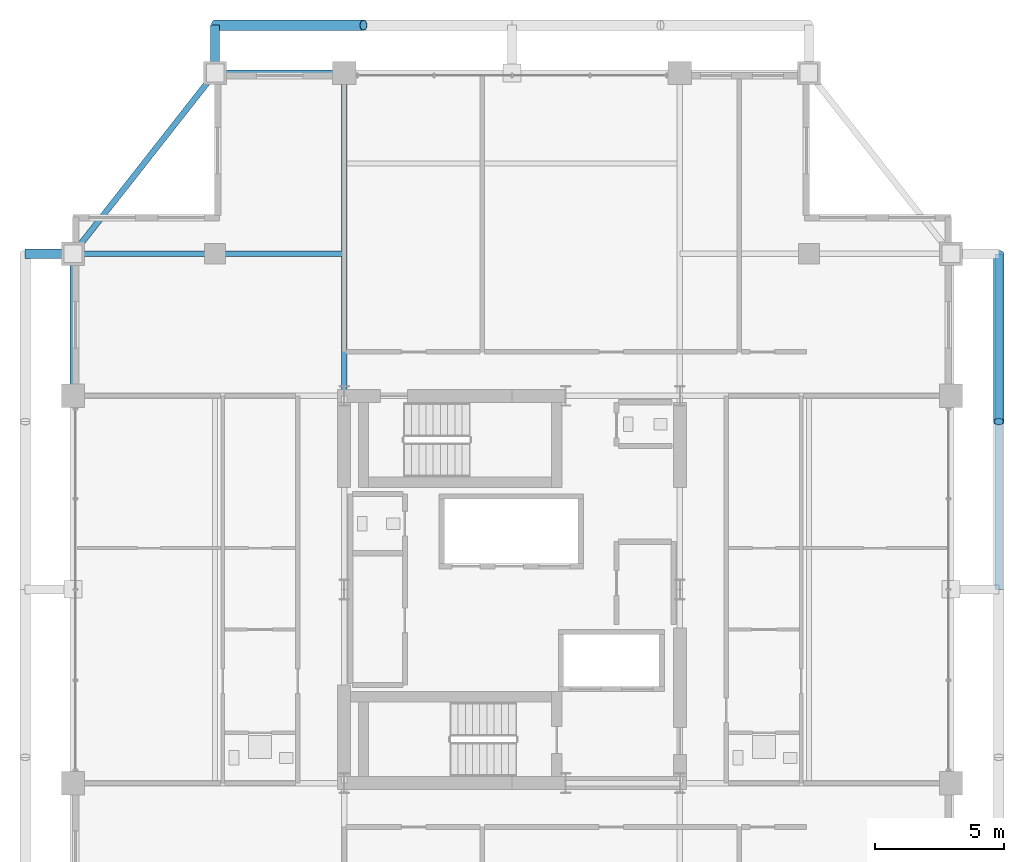
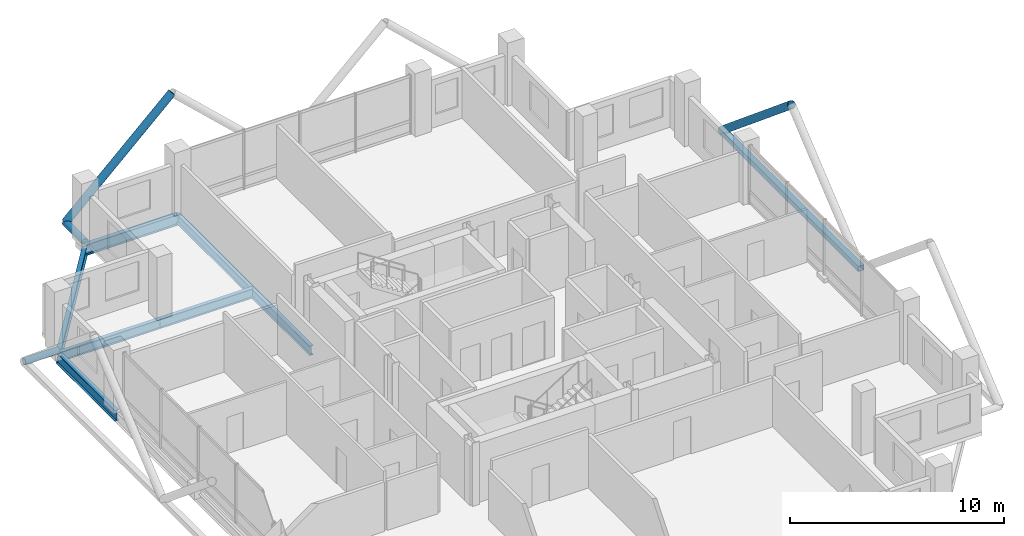
# One storey, part 14 of 24: 6 beams, 5 members.
"""IFC4 building model written with IfcOpenShell, lengths in metres."""

from ifc_helpers import new_model, si_unit, direction, frame, origin, origin_2d, place, context, subcontext, project, spatial, hollow_rectangle, hollow_circle, i_section, extrude, material, material_profile, profile_set, type_object, element, save


model = new_model("IFC4")

# Units and contexts
model_context = context("Model", 3, precision=1e-05, world=origin(), true_north=direction((0.0, 1.0)))
body_context = subcontext(model_context, "Body", "Model", "MODEL_VIEW")
ifc_project = project(units=[si_unit("LENGTHUNIT", "METRE"), si_unit("AREAUNIT", "SQUARE_METRE"), si_unit("VOLUMEUNIT", "CUBIC_METRE"), si_unit("PLANEANGLEUNIT", "RADIAN"), si_unit("MASSUNIT", "GRAM", prefix="KILO")], contexts=[model_context])

# Site, building, storey
site_placement = place(None, origin())
site = spatial("IfcSite", under=ifc_project, at=site_placement, CompositionType="ELEMENT")
building_placement = place(site_placement, origin())
building = spatial("IfcBuilding", under=site, at=building_placement, Name="Barlavira Tower and Art Museum", CompositionType="ELEMENT")
storey_placement = place(building_placement, frame((0.0, 0.0, 294.300048828125)))
storey = spatial("IfcBuildingStorey", under=building, at=storey_placement, Name="L77", CompositionType="ELEMENT", Elevation=294.300048828125)

# Members
ifc_material = material(Name="Steel S355", Category="steel")
ifc_material_profile_1 = material_profile(ifc_material, hollow_circle(Radius=0.203125, WallThickness=0.01611328125, at=origin_2d()), Name="CHS 406.4x16.0")
ifc_profile_set_1 = profile_set([ifc_material_profile_1], Name="Steel S355")
member_type_1 = type_object("IfcMemberType", Name="Pale-Metal Exoskeleton Diagrid Tube CHS 406x16 Steel S355", PredefinedType="BRACE", material=ifc_profile_set_1)
member_1_placement = place(storey_placement, frame((-11.5, 21.85009765625, -0.1201171875), z_axis=(0.728934650808, 0.0, 0.684583285548), x_axis=(0.0, 1.0, 0.0)))
element("IfcMember", 1, at=member_1_placement, inside=storey, type_object=member_type_1, Name="L77 Exoskeleton Diagrid Tube N", PredefinedType="BRACE", context=body_context, shape_type="SweptSolid", body=[
    extrude(hollow_circle(Radius=0.203125, WallThickness=0.01611328125, at=origin_2d()), origin(), (0.0, 0.0, 1.0), 7.88818359375),
])
member_2_placement = place(storey_placement, frame((18.85009765625, 13.0, -0.1201171875), z_axis=(0.0, -0.76918185268, 0.639029950399), x_axis=(1.0, 0.0, 0.0)))
element("IfcMember", 2, at=member_2_placement, inside=storey, type_object=member_type_1, Name="L77 Exoskeleton Diagrid Tube E", PredefinedType="BRACE", context=body_context, shape_type="SweptSolid", body=[
    extrude(hollow_circle(Radius=0.203125, WallThickness=0.01611328125, at=origin_2d()), origin(), (0.0, 0.0, 1.0), 8.450439453125),
])
ifc_material_profile_2 = material_profile(ifc_material, hollow_circle(Radius=0.177734375, WallThickness=0.01611328125, at=origin_2d()), Name="CHS 355.6x16.0")
ifc_profile_set_2 = profile_set([ifc_material_profile_2], Name="Steel S355")
member_type_2 = type_object("IfcMemberType", Name="Pale-Metal Exoskeleton Tie Strut CHS 356x16 Steel S355", PredefinedType="STRUT", material=ifc_profile_set_2)
for number, where, z_axis, x_axis, name in (
    (3, (-11.5, 21.85009765625, -0.1201171875), (0.0, -1.0, 0.0), (1.0, 0.0, 0.0), "L77 Exoskeleton Tie Strut N1"),
    (4, (-18.85009765625, 13.0, -0.1201171875), (1.0, 0.0, 0.0), (0.0, 1.0, 0.0), "L77 Exoskeleton Tie Strut W3"),
):
    element("IfcMember", number, at=place(storey_placement, frame(where, z_axis=z_axis, x_axis=x_axis)), inside=storey, type_object=member_type_2, Name=name, PredefinedType="STRUT", context=body_context, shape_type="SweptSolid", body=[
        extrude(hollow_circle(Radius=0.177734375, WallThickness=0.01611328125, at=origin_2d()), origin(), (0.0, 0.0, 1.0), 1.85009765625),
    ])
ifc_material_profile_3 = material_profile(ifc_material, hollow_rectangle(XDim=0.300048828125, YDim=0.300048828125, WallThickness=0.01611328125, at=origin_2d()), Name="SHS 300x300x16.0")
ifc_profile_set_3 = profile_set([ifc_material_profile_3], Name="Steel S355")
member_type_3 = type_object("IfcMemberType", Name="Pale-Metal Upper Ring Strut SHS 300x300x16 Steel S355", PredefinedType="STRUT", material=ifc_profile_set_3)
member_3_placement = place(storey_placement, frame((18.85009765625, 0.0, -0.1201171875), z_axis=(0.0, 1.0, 0.0), x_axis=(-1.0, 0.0, 0.0)))
element("IfcMember", 5, at=member_3_placement, inside=storey, type_object=member_type_3, Name="L77 Exoskeleton Ring Strut E", PredefinedType="STRUT", context=body_context, shape_type="SweptSolid", body=[
    extrude(hollow_rectangle(XDim=0.300048828125, YDim=0.300048828125, WallThickness=0.01611328125, at=origin_2d()), origin(), (0.0, 0.0, 1.0), 13.0),
])

# Beams
ifc_material_profile_4 = material_profile(ifc_material, i_section(OverallWidth=0.22998046875, OverallDepth=0.616943359375, WebThickness=0.01318359375, FlangeThickness=0.022216796875, at=origin_2d()), Name="W610x140.0")
ifc_profile_set_4 = profile_set([ifc_material_profile_4], Name="Steel S355")
beam_type_1 = type_object("IfcBeamType", Name="Upper Shaft Spandrel Edge Beam W610x140 Steel S355", PredefinedType="SPANDREL", material=ifc_profile_set_4)
beam_1_placement = place(storey_placement, frame((-11.5, 20.0, -0.528564453125), z_axis=(1.0, 0.0, 0.0), x_axis=(0.0, 1.0, 0.0)))
element("IfcBeam", 6, at=beam_1_placement, inside=storey, type_object=beam_type_1, Name="L77 Spandrel 11", PredefinedType="SPANDREL", context=body_context, shape_type="SweptSolid", body=[
    extrude(i_section(OverallWidth=0.22998046875, OverallDepth=0.616943359375, WebThickness=0.01318359375, FlangeThickness=0.022216796875, at=origin_2d()), origin(), (0.0, 0.0, 1.0), 5.0),
])
beam_2_placement = place(storey_placement, frame((-11.5, 20.0, -0.528564453125), z_axis=(-0.617821551932, -0.786318338822, 0.0), x_axis=(0.786318338822, -0.617821551932, 0.0)))
element("IfcBeam", 7, at=beam_2_placement, inside=storey, type_object=beam_type_1, Name="L77 Spandrel 12", PredefinedType="SPANDREL", context=body_context, shape_type="SweptSolid", body=[
    extrude(i_section(OverallWidth=0.22998046875, OverallDepth=0.616943359375, WebThickness=0.01318359375, FlangeThickness=0.022216796875, at=origin_2d()), origin(), (0.0, 0.0, 1.0), 8.90234375),
])
beam_3_placement = place(storey_placement, frame((-17.0, 7.5, -0.528564453125), z_axis=(0.0, 1.0, 0.0), x_axis=(-1.0, 0.0, 0.0)))
element("IfcBeam", 8, at=beam_3_placement, inside=storey, type_object=beam_type_1, Name="L77 Spandrel 13", PredefinedType="SPANDREL", context=body_context, shape_type="SweptSolid", body=[
    extrude(i_section(OverallWidth=0.22998046875, OverallDepth=0.616943359375, WebThickness=0.01318359375, FlangeThickness=0.022216796875, at=origin_2d()), origin(), (0.0, 0.0, 1.0), 5.5),
])
ifc_material_profile_5 = material_profile(ifc_material, i_section(OverallWidth=0.2109375, OverallDepth=0.5390625, WebThickness=0.01171875, FlangeThickness=0.018798828125, at=origin_2d()), Name="W530x109.0")
ifc_profile_set_5 = profile_set([ifc_material_profile_5], Name="Steel S355")
beam_type_2 = type_object("IfcBeamType", Name="Zone 3-4 Primary Floor Girder W530x109 Steel S355", PredefinedType="BEAM", material=ifc_profile_set_5)
beam_4_placement = place(storey_placement, frame((-6.5, 7.5, -0.489501953125), z_axis=(0.0, 1.0, 0.0), x_axis=(-1.0, 0.0, 0.0)))
element("IfcBeam", 9, at=beam_4_placement, inside=storey, type_object=beam_type_2, Name="L77 Girder R-N1", PredefinedType="BEAM", context=body_context, shape_type="SweptSolid", body=[
    extrude(i_section(OverallWidth=0.2109375, OverallDepth=0.5390625, WebThickness=0.01171875, FlangeThickness=0.018798828125, at=origin_2d()), origin(), (0.0, 0.0, 1.0), 12.5),
])
beam_5_placement = place(storey_placement, frame((-17.0, 13.0, -0.489501953125), z_axis=(1.0, 0.0, 0.0), x_axis=(0.0, 1.0, 0.0)))
element("IfcBeam", 10, at=beam_5_placement, inside=storey, type_object=beam_type_2, Name="L77 Girder I-N1", PredefinedType="BEAM", context=body_context, shape_type="SweptSolid", body=[
    extrude(i_section(OverallWidth=0.2109375, OverallDepth=0.5390625, WebThickness=0.01171875, FlangeThickness=0.018798828125, at=origin_2d()), origin(), (0.0, 0.0, 1.0), 5.5),
])
beam_6_placement = place(storey_placement, frame((-11.5, 13.0, -0.489501953125), z_axis=(1.0, 0.0, 0.0), x_axis=(0.0, 1.0, 0.0)))
element("IfcBeam", 11, at=beam_6_placement, inside=storey, type_object=beam_type_2, Name="L77 Girder I-N2", PredefinedType="BEAM", context=body_context, shape_type="SweptSolid", body=[
    extrude(i_section(OverallWidth=0.2109375, OverallDepth=0.5390625, WebThickness=0.01171875, FlangeThickness=0.018798828125, at=origin_2d()), origin(), (0.0, 0.0, 1.0), 5.0),
])

save(model, "model.ifc")
